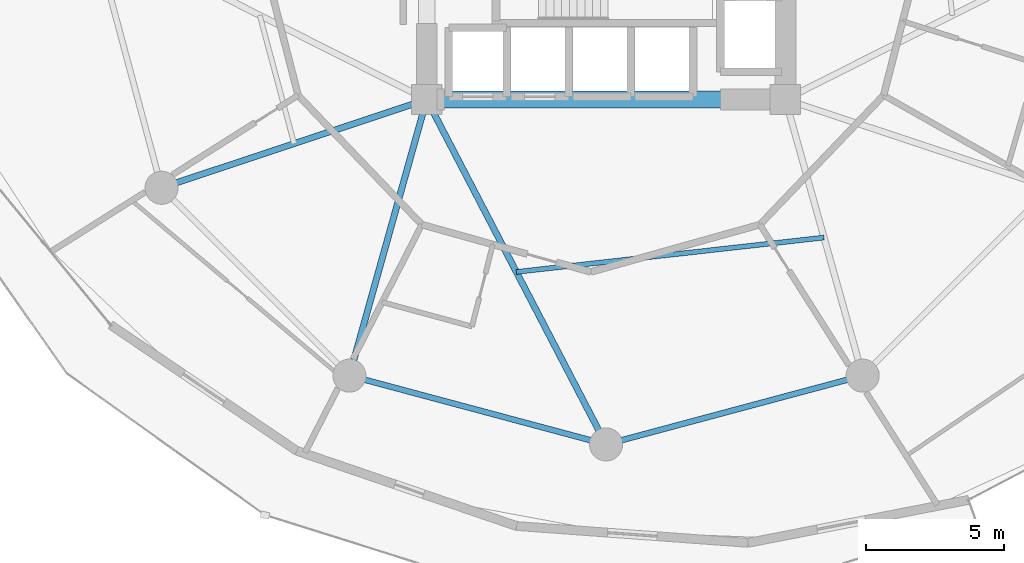
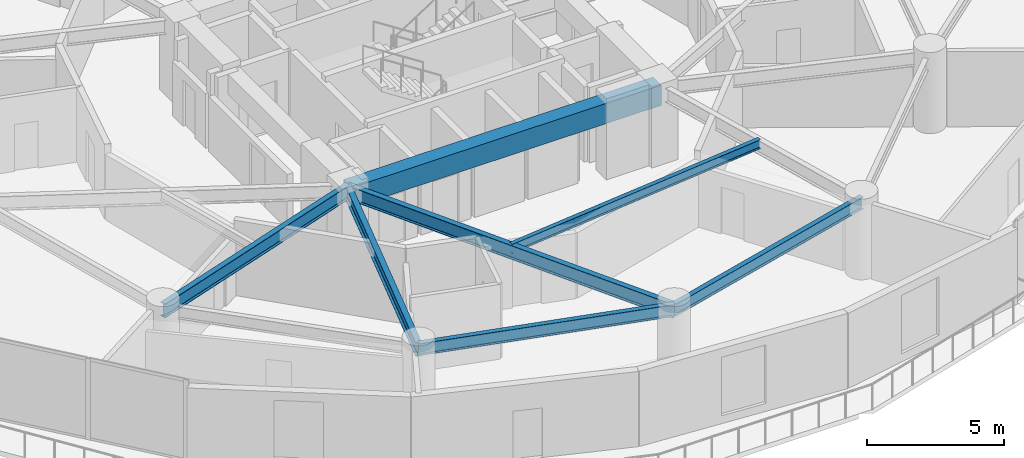
# One storey, part 3 of 20: 7 beams.
"""IFC4 building model written with IfcOpenShell, lengths in metres."""

from ifc_helpers import new_model, si_unit, direction, frame, origin, origin_2d, place, context, subcontext, project, spatial, rectangle, i_section, extrude, material, material_profile, profile_set, type_object, element, save


model = new_model("IFC4")

# Units and contexts
model_context = context("Model", 3, precision=1e-05, world=origin(), true_north=direction((0.0, 1.0)))
body_context = subcontext(model_context, "Body", "Model", "MODEL_VIEW")
ifc_project = project(units=[si_unit("LENGTHUNIT", "METRE"), si_unit("AREAUNIT", "SQUARE_METRE"), si_unit("VOLUMEUNIT", "CUBIC_METRE"), si_unit("PLANEANGLEUNIT", "RADIAN"), si_unit("MASSUNIT", "GRAM", prefix="KILO")], contexts=[model_context])

# Site, building, storey
site_placement = place(None, origin())
site = spatial("IfcSite", under=ifc_project, at=site_placement, CompositionType="ELEMENT")
building_placement = place(site_placement, origin())
building = spatial("IfcBuilding", under=site, at=building_placement, Name="Solvirekh Grand Hotel", CompositionType="ELEMENT")
storey_placement = place(building_placement, frame((0.0, 0.0, 50.0)))
storey = spatial("IfcBuildingStorey", under=building, at=storey_placement, Name="L11", CompositionType="ELEMENT", Elevation=50.0)

# Beams
ifc_material_1 = material(Name="Concrete C50/60", Category="concrete")
ifc_material_profile_1 = material_profile(ifc_material_1, rectangle(XDim=0.60009765625, YDim=0.89990234375, at=origin_2d()), Name="RC BEAM 600X900")
ifc_profile_set_1 = profile_set([ifc_material_profile_1], Name="Concrete C50/60")
beam_type_1 = type_object("IfcBeamType", Name="Beam_Core_RC900", PredefinedType="BEAM", material=ifc_profile_set_1)
beam_1_placement = place(storey_placement, frame((-6.5, -6.10009765625, 2.889892578125), z_axis=(1.0, 0.0, 0.0), x_axis=(0.0, 1.0, 0.0)))
element("IfcBeam", 1, at=beam_1_placement, inside=storey, type_object=beam_type_1, Name="L11 core coupling ring beam 1", PredefinedType="BEAM", context=body_context, shape_type="SweptSolid", body=[
    extrude(rectangle(XDim=0.60009765625, YDim=0.89990234375, at=origin_2d()), origin(), (0.0, 0.0, 1.0), 13.0),
])
ifc_material_2 = material(Name="Steel S355", Category="steel")
ifc_material_profile_2 = material_profile(ifc_material_2, i_section(OverallWidth=0.22802734375, OverallDepth=0.616943359375, WebThickness=0.012939453125, FlangeThickness=0.02001953125, FilletRadius=0.014892578125, at=origin_2d()), Name="W610X140")
ifc_profile_set_2 = profile_set([ifc_material_profile_2], Name="Steel S355")
beam_type_2 = type_object("IfcBeamType", Name="Beam_Radial_W610", PredefinedType="BEAM", material=ifc_profile_set_2)
beam_2_placement = place(storey_placement, frame((-6.5, -6.10009765625, 3.031982421875), z_axis=(-0.948762825819, -0.315989082635, 0.0), x_axis=(0.315989082635, -0.948762825819, 0.0)))
element("IfcBeam", 2, at=beam_2_placement, inside=storey, type_object=beam_type_2, Name="L11 radial floor beam R08", PredefinedType="BEAM", context=body_context, shape_type="SweptSolid", body=[
    extrude(i_section(OverallWidth=0.22802734375, OverallDepth=0.616943359375, WebThickness=0.012939453125, FlangeThickness=0.02001953125, FilletRadius=0.014892578125, at=origin_2d()), origin(), (0.0, 0.0, 1.0), 10.126708984375),
])
beam_3_placement = place(storey_placement, frame((-6.5, -6.10009765625, 3.031982421875), z_axis=(-0.269439084681, -0.963017434757, 0.0), x_axis=(0.963017434757, -0.269439084681, 0.0)))
element("IfcBeam", 3, at=beam_3_placement, inside=storey, type_object=beam_type_2, Name="L11 radial floor beam R09", PredefinedType="BEAM", context=body_context, shape_type="SweptSolid", body=[
    extrude(i_section(OverallWidth=0.22802734375, OverallDepth=0.616943359375, WebThickness=0.012939453125, FlangeThickness=0.02001953125, FilletRadius=0.014892578125, at=origin_2d()), origin(), (0.0, 0.0, 1.0), 10.39208984375),
])
beam_4_placement = place(storey_placement, frame((-6.5, -6.10009765625, 3.031982421875), z_axis=(0.461352736642, -0.887216801235, 0.0), x_axis=(0.887216801235, 0.461352736642, 0.0)))
element("IfcBeam", 4, at=beam_4_placement, inside=storey, type_object=beam_type_2, Name="L11 radial floor beam R10", PredefinedType="BEAM", context=body_context, shape_type="SweptSolid", body=[
    extrude(i_section(OverallWidth=0.22802734375, OverallDepth=0.616943359375, WebThickness=0.012939453125, FlangeThickness=0.02001953125, FilletRadius=0.014892578125, at=origin_2d()), origin(), (0.0, 0.0, 1.0), 14.089111328125),
])
ifc_material_profile_3 = material_profile(ifc_material_2, i_section(OverallWidth=0.177978515625, OverallDepth=0.406982421875, WebThickness=0.008056640625, FlangeThickness=0.011962890625, FilletRadius=0.011962890625, at=origin_2d()), Name="W410X60")
ifc_profile_set_3 = profile_set([ifc_material_profile_3], Name="Steel S355")
beam_type_3 = type_object("IfcBeamType", Name="Joist_Floor_W410", PredefinedType="JOIST", material=ifc_profile_set_3)
beam_5_placement = place(storey_placement, frame((-3.25, -12.35009765625, 3.136962890625), z_axis=(0.99381294191, 0.111066810937, 0.0), x_axis=(-0.111066810937, 0.99381294191, 0.0)))
element("IfcBeam", 5, at=beam_5_placement, inside=storey, type_object=beam_type_3, Name="L11 secondary composite floor joist 10", PredefinedType="JOIST", context=body_context, shape_type="SweptSolid", body=[
    extrude(i_section(OverallWidth=0.177978515625, OverallDepth=0.406982421875, WebThickness=0.008056640625, FlangeThickness=0.011962890625, FilletRadius=0.011962890625, at=origin_2d()), origin(), (0.0, 0.0, 1.0), 11.21923828125),
])
ifc_material_profile_4 = material_profile(ifc_material_2, i_section(OverallWidth=0.208984375, OverallDepth=0.532958984375, WebThickness=0.010009765625, FlangeThickness=0.014892578125, FilletRadius=0.013916015625, at=origin_2d()), Name="W530X92")
ifc_profile_set_4 = profile_set([ifc_material_profile_4], Name="Steel S355")
beam_type_4 = type_object("IfcBeamType", Name="Spandrel_Ring_W530", PredefinedType="SPANDREL", material=ifc_profile_set_4)
for number, where, z_axis, x_axis, name in (
    (6, (-9.300048828125, -16.10791015625, 3.073974609375), (0.965919414426, -0.258842973314, 0.0), (0.258842973314, 0.965919414426, 0.0), "L11 perimeter spandrel beam 9"),
    (7, (0.0, -18.60009765625, 3.073974609375), (0.965919414426, 0.258842973314, 0.0), (-0.258842973314, 0.965919414426, 0.0), "L11 perimeter spandrel beam 10"),
):
    element("IfcBeam", number, at=place(storey_placement, frame(where, z_axis=z_axis, x_axis=x_axis)), inside=storey, type_object=beam_type_4, Name=name, PredefinedType="SPANDREL", context=body_context, shape_type="SweptSolid", body=[
        extrude(i_section(OverallWidth=0.208984375, OverallDepth=0.532958984375, WebThickness=0.010009765625, FlangeThickness=0.014892578125, FilletRadius=0.013916015625, at=origin_2d()), origin(), (0.0, 0.0, 1.0), 9.628173828125),
    ])

save(model, "model.ifc")
